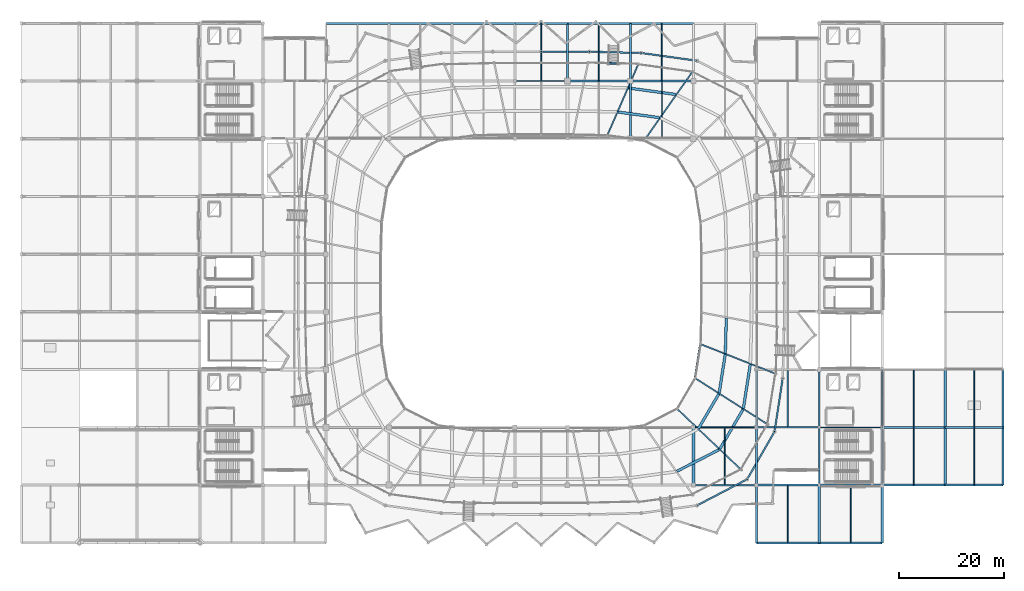
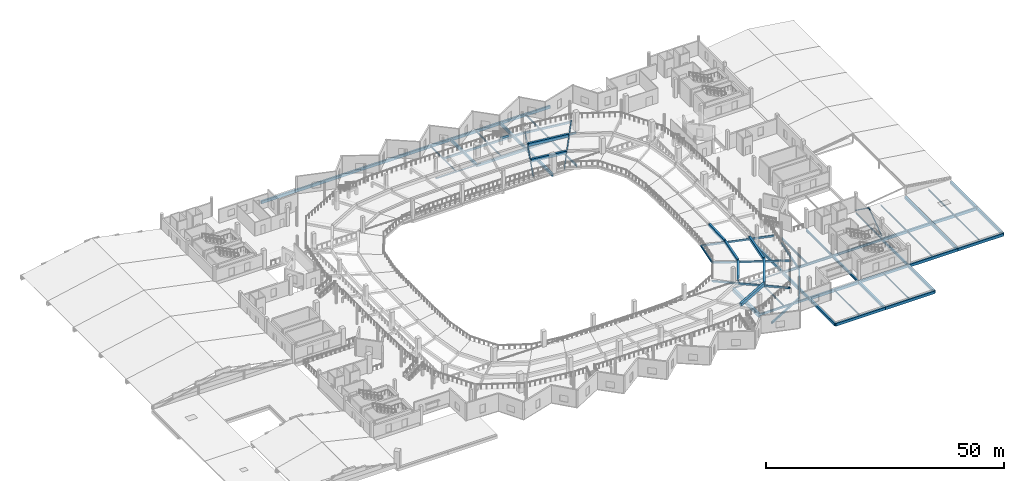
# One storey, part 32 of 77: 71 beams, 2 members.
"""IFC4 building model written with IfcOpenShell, lengths in metres."""

from ifc_helpers import new_model, si_unit, direction, frame, origin, origin_2d, place, context, subcontext, project, spatial, rectangle, hollow_rectangle, hollow_circle, i_section, extrude, material, material_profile, profile_set, type_object, element, save


model = new_model("IFC4")

# Units and contexts
model_context = context("Model", 3, precision=1e-05, world=origin(), true_north=direction((0.0, 1.0)))
body_context = subcontext(model_context, "Body", "Model", "MODEL_VIEW")
ifc_project = project(units=[si_unit("LENGTHUNIT", "METRE"), si_unit("AREAUNIT", "SQUARE_METRE"), si_unit("VOLUMEUNIT", "CUBIC_METRE"), si_unit("PLANEANGLEUNIT", "RADIAN"), si_unit("MASSUNIT", "GRAM", prefix="KILO")], contexts=[model_context])

# Site, building, storey
site_placement = place(None, origin())
site = spatial("IfcSite", under=ifc_project, at=site_placement, CompositionType="ELEMENT")
building_placement = place(site_placement, origin())
building = spatial("IfcBuilding", under=site, at=building_placement, Name="Luwafu Chhajja Arena", CompositionType="ELEMENT")
storey_placement = place(building_placement, frame((0.0, 0.0, 14.699951171875)))
storey = spatial("IfcBuildingStorey", under=building, at=storey_placement, Name="L03", CompositionType="ELEMENT", Elevation=14.699951171875)

# Beams
ifc_material_1 = material(Name="Steel S355", Category="steel")
ifc_material_profile_1 = material_profile(ifc_material_1, hollow_rectangle(XDim=0.25, YDim=0.449951171875, WallThickness=0.01611328125, at=origin_2d()), Name="RHS 450x250x16")
ifc_profile_set_1 = profile_set([ifc_material_profile_1], Name="Steel S355")
beam_type_1 = type_object("IfcBeamType", Name="Cantilevered Upper Bowl Raker RHS 450x250", PredefinedType="USERDEFINED", material=ifc_profile_set_1)
beam_1_placement = place(storey_placement, frame((118.57666015625, 76.589111328125, 0.239990234375), z_axis=(0.573550026627, 0.816941301272, 0.060392691873), x_axis=(-0.818435194703, 0.574598844474, 0.0)))
element("IfcBeam", 1, at=beam_1_placement, inside=storey, type_object=beam_type_1, Name="Upper Bowl Raker RKR-U06", ObjectType="RAKER", PredefinedType="USERDEFINED", context=body_context, shape_type="SweptSolid", body=[
    extrude(hollow_rectangle(XDim=0.25, YDim=0.449951171875, WallThickness=0.01611328125, at=origin_2d()), origin(), (0.0, 0.0, 1.0), 16.226806640625),
])
beam_2_placement = place(storey_placement, frame((111.560302734375, 77.536865234375, 0.239990234375), z_axis=(0.398223154661, 0.914957546199, 0.065352947496), x_axis=(-0.916917722769, 0.399076295553, 0.0)))
element("IfcBeam", 2, at=beam_2_placement, inside=storey, type_object=beam_type_1, Name="Upper Bowl Raker RKR-U07", ObjectType="RAKER", PredefinedType="USERDEFINED", context=body_context, shape_type="SweptSolid", body=[
    extrude(hollow_rectangle(XDim=0.25, YDim=0.449951171875, WallThickness=0.01611328125, at=origin_2d()), origin(), (0.0, 0.0, 1.0), 14.9951171875),
])
beam_3_placement = place(storey_placement, frame((124.85986328125, 25.590087890625, 0.239990234375), z_axis=(0.723171081086, -0.688259076596, 0.057645736744), x_axis=(0.689405487669, 0.724375643966, 0.0)))
element("IfcBeam", 3, at=beam_3_placement, inside=storey, type_object=beam_type_1, Name="Upper Bowl Raker RKR-U29", ObjectType="RAKER", PredefinedType="USERDEFINED", context=body_context, shape_type="SweptSolid", body=[
    extrude(hollow_rectangle(XDim=0.25, YDim=0.449951171875, WallThickness=0.01611328125, at=origin_2d()), origin(), (0.0, 0.0, 1.0), 17.0),
])
beam_4_placement = place(storey_placement, frame((128.298583984375, 31.399658203125, 0.239990234375), z_axis=(0.842344515342, -0.535670990695, 0.059264721387), x_axis=(0.536614196584, 0.843827709917, 0.0)))
element("IfcBeam", 4, at=beam_4_placement, inside=storey, type_object=beam_type_1, Name="Upper Bowl Raker RKR-U30", ObjectType="RAKER", PredefinedType="USERDEFINED", context=body_context, shape_type="SweptSolid", body=[
    extrude(hollow_rectangle(XDim=0.25, YDim=0.449951171875, WallThickness=0.01611328125, at=origin_2d()), origin(), (0.0, 0.0, 1.0), 16.53564453125),
])
beam_5_placement = place(storey_placement, frame((129.323486328125, 37.88671875, 0.239990234375), z_axis=(0.928463965144, -0.366020596475, 0.063115674639), x_axis=(0.366751819568, 0.930318817849, 0.0)))
element("IfcBeam", 5, at=beam_5_placement, inside=storey, type_object=beam_type_1, Name="Upper Bowl Raker RKR-U31", ObjectType="RAKER", PredefinedType="USERDEFINED", context=body_context, shape_type="SweptSolid", body=[
    extrude(hollow_rectangle(XDim=0.25, YDim=0.449951171875, WallThickness=0.01611328125, at=origin_2d()), origin(), (0.0, 0.0, 1.0), 15.52685546875),
])
ifc_material_profile_2 = material_profile(ifc_material_1, i_section(OverallWidth=0.165771484375, OverallDepth=0.306640625, WebThickness=0.006591796875, FlangeThickness=0.01171875, at=origin_2d()), Name="UB 305x165x46")
ifc_profile_set_2 = profile_set([ifc_material_profile_2], Name="Steel S355")
beam_type_2 = type_object("IfcBeamType", Name="Concourse Edge Spandrel Beam UB 305x165x46", PredefinedType="SPANDREL", material=ifc_profile_set_2)
beam_6_placement = place(storey_placement, frame((94.0, 88.0, -0.543212890625), z_axis=(1.0, 0.0, 0.0), x_axis=(0.0, 1.0, 0.0)))
element("IfcBeam", 6, at=beam_6_placement, inside=storey, type_object=beam_type_2, Name="L03 Grid Beam 9-10/J", PredefinedType="SPANDREL", context=body_context, shape_type="SweptSolid", body=[
    extrude(i_section(OverallWidth=0.165771484375, OverallDepth=0.306640625, WebThickness=0.006591796875, FlangeThickness=0.01171875, at=origin_2d()), origin(), (0.0, 0.0, 1.0), 10.0),
])
beam_7_placement = place(storey_placement, frame((128.0, 22.0, -0.543212890625), z_axis=(1.0, 0.0, 0.0), x_axis=(0.0, 1.0, 0.0)))
element("IfcBeam", 7, at=beam_7_placement, inside=storey, type_object=beam_type_2, Name="L03 Grid Beam 12-13/C", PredefinedType="SPANDREL", context=body_context, shape_type="SweptSolid", body=[
    extrude(i_section(OverallWidth=0.165771484375, OverallDepth=0.306640625, WebThickness=0.006591796875, FlangeThickness=0.01171875, at=origin_2d()), origin(), (0.0, 0.0, 1.0), 12.0),
])
beam_8_placement = place(storey_placement, frame((164.0, 22.0, -0.543212890625), z_axis=(0.0, 1.0, 0.0), x_axis=(-1.0, 0.0, 0.0)))
element("IfcBeam", 8, at=beam_8_placement, inside=storey, type_object=beam_type_2, Name="L03 Grid Beam 15/C-D", PredefinedType="SPANDREL", context=body_context, shape_type="SweptSolid", body=[
    extrude(i_section(OverallWidth=0.165771484375, OverallDepth=0.306640625, WebThickness=0.006591796875, FlangeThickness=0.01171875, at=origin_2d()), origin(), (0.0, 0.0, 1.0), 11.0),
])
ifc_material_2 = material(Name="Concrete C35/45", Category="concrete")
ifc_material_profile_3 = material_profile(ifc_material_2, rectangle(XDim=0.550048828125, YDim=0.949951171875, at=origin_2d()), Name="RC 550x950")
ifc_profile_set_3 = profile_set([ifc_material_profile_3], Name="Concrete C35/45")
beam_type_3 = type_object("IfcBeamType", Name="Concourse Radial Girder RC 550x950", PredefinedType="BEAM", material=ifc_profile_set_3)
beam_9_placement = place(storey_placement, frame((128.0, 11.0, -0.864990234375), z_axis=(0.0, 1.0, 0.0), x_axis=(-1.0, 0.0, 0.0)))
element("IfcBeam", 9, at=beam_9_placement, inside=storey, type_object=beam_type_3, Name="L03 Grid Beam 12/B-C", PredefinedType="BEAM", context=body_context, shape_type="SweptSolid", body=[
    extrude(rectangle(XDim=0.550048828125, YDim=0.949951171875, at=origin_2d()), origin(), (0.0, 0.0, 1.0), 11.0),
])
ifc_material_profile_4 = material_profile(ifc_material_1, i_section(OverallWidth=0.15283203125, OverallDepth=0.45458984375, WebThickness=0.008056640625, FlangeThickness=0.01318359375, at=origin_2d()), Name="UB 457x152x60")
ifc_profile_set_4 = profile_set([ifc_material_profile_4], Name="Steel S355")
beam_type_4 = type_object("IfcBeamType", Name="Floor Joist UB 457x152x60", PredefinedType="JOIST", material=ifc_profile_set_4)
beam_10_placement = place(storey_placement, frame((134.0, 11.14990234375, -0.6171875), z_axis=(0.0, 1.0, 0.0), x_axis=(-1.0, 0.0, 0.0)))
element("IfcBeam", 10, at=beam_10_placement, inside=storey, type_object=beam_type_4, Name="L03 Secondary Joist 12-13/B", PredefinedType="JOIST", context=body_context, shape_type="SweptSolid", body=[
    extrude(i_section(OverallWidth=0.15283203125, OverallDepth=0.45458984375, WebThickness=0.008056640625, FlangeThickness=0.01318359375, at=origin_2d()), origin(), (0.0, 0.0, 1.0), 10.76708984375),
])
ifc_material_profile_5 = material_profile(ifc_material_1, i_section(OverallWidth=0.2099609375, OverallDepth=0.53662109375, WebThickness=0.0107421875, FlangeThickness=0.017333984375, at=origin_2d()), Name="UB 533x210x101")
ifc_profile_set_5 = profile_set([ifc_material_profile_5], Name="Steel S355")
beam_type_5 = type_object("IfcBeamType", Name="Floor Joist UB 533x210x101", PredefinedType="JOIST", material=ifc_profile_set_5)
beam_11_placement = place(storey_placement, frame((122.0, 77.199951171875, -0.658203125), z_axis=(0.0, 1.0, 0.0), x_axis=(-1.0, 0.0, 0.0)))
element("IfcBeam", 11, at=beam_11_placement, inside=storey, type_object=beam_type_5, Name="L03 Secondary Joist 11-12/H", PredefinedType="JOIST", context=body_context, shape_type="SweptSolid", body=[
    extrude(i_section(OverallWidth=0.2099609375, OverallDepth=0.53662109375, WebThickness=0.0107421875, FlangeThickness=0.017333984375, at=origin_2d()), origin(), (0.0, 0.0, 1.0), 10.650146484375),
])
ifc_material_profile_6 = material_profile(ifc_material_1, i_section(OverallWidth=0.209228515625, OverallDepth=0.533203125, WebThickness=0.010009765625, FlangeThickness=0.015625, at=origin_2d()), Name="UB 533x210x92")
ifc_profile_set_6 = profile_set([ifc_material_profile_6], Name="Steel S355")
beam_type_6 = type_object("IfcBeamType", Name="Floor Joist UB 533x210x92", PredefinedType="JOIST", material=ifc_profile_set_6)
beam_12_placement = place(storey_placement, frame((146.0, 22.153564453125, -0.656494140625), z_axis=(0.0, 1.0, 0.0), x_axis=(-1.0, 0.0, 0.0)))
element("IfcBeam", 12, at=beam_12_placement, inside=storey, type_object=beam_type_6, Name="L03 Secondary Joist 13-14/C", PredefinedType="JOIST", context=body_context, shape_type="SweptSolid", body=[
    extrude(i_section(OverallWidth=0.209228515625, OverallDepth=0.533203125, WebThickness=0.010009765625, FlangeThickness=0.015625, at=origin_2d()), origin(), (0.0, 0.0, 1.0), 10.696533203125),
])
ifc_material_profile_7 = material_profile(ifc_material_2, rectangle(XDim=0.5, YDim=0.800048828125, at=origin_2d()), Name="RC 500x800")
ifc_profile_set_7 = profile_set([ifc_material_profile_7], Name="Concrete C35/45")
beam_type_7 = type_object("IfcBeamType", Name="Hospitality Primary Beam RC 500x800", PredefinedType="BEAM", material=ifc_profile_set_7)
beam_13_placement = place(storey_placement, frame((121.53369140625, 81.024658203125, 0.800048828125), z_axis=(-0.990909467515, 0.134530395038, 0.0), x_axis=(-0.134530395038, -0.990909467515, 0.0)))
element("IfcBeam", 13, at=beam_13_placement, inside=storey, type_object=beam_type_7, Name="Upper Tier Ring Beam S06-B2", PredefinedType="BEAM", context=body_context, shape_type="SweptSolid", body=[
    extrude(rectangle(XDim=0.5, YDim=0.800048828125, at=origin_2d()), origin(), (0.0, 0.0, 1.0), 7.945068359375),
])
beam_14_placement = place(storey_placement, frame((124.614501953125, 85.443603515625, 1.380126953125), z_axis=(-0.990848033552, 0.134982126249, 0.0), x_axis=(-0.134982126249, -0.990848033552, 0.0)))
element("IfcBeam", 14, at=beam_14_placement, inside=storey, type_object=beam_type_7, Name="Upper Tier Ring Beam S06-B3", PredefinedType="BEAM", context=body_context, shape_type="SweptSolid", body=[
    extrude(rectangle(XDim=0.5, YDim=0.800048828125, at=origin_2d()), origin(), (0.0, 0.0, 1.0), 9.059814453125),
])
beam_15_placement = place(storey_placement, frame((124.849609375, 13.630126953125, 1.380126953125), z_axis=(0.890679385598, 0.454631974316, 0.0), x_axis=(-0.454631974316, 0.890679385598, 0.0)))
element("IfcBeam", 15, at=beam_15_placement, inside=storey, type_object=beam_type_7, Name="Upper Tier Ring Beam S28-B3", PredefinedType="BEAM", context=body_context, shape_type="SweptSolid", body=[
    extrude(rectangle(XDim=0.5, YDim=0.800048828125, at=origin_2d()), origin(), (0.0, 0.0, 1.0), 9.02490234375),
])
beam_16_placement = place(storey_placement, frame((128.992919921875, 21.7978515625, 0.800048828125), z_axis=(0.507517540406, 0.861641425525, 0.0), x_axis=(-0.861641425525, 0.507517540406, 0.0)))
element("IfcBeam", 16, at=beam_16_placement, inside=storey, type_object=beam_type_7, Name="Upper Tier Ring Beam S29-B2", PredefinedType="BEAM", context=body_context, shape_type="SweptSolid", body=[
    extrude(rectangle(XDim=0.5, YDim=0.800048828125, at=origin_2d()), origin(), (0.0, 0.0, 1.0), 7.591796875),
])
beam_17_placement = place(storey_placement, frame((133.0625, 17.897705078125, 1.380126953125), z_axis=(0.506098278206, 0.862475815775, 0.0), x_axis=(-0.862475815775, 0.506098278206, 0.0)))
element("IfcBeam", 17, at=beam_17_placement, inside=storey, type_object=beam_type_7, Name="Upper Tier Ring Beam S29-B3", PredefinedType="BEAM", context=body_context, shape_type="SweptSolid", body=[
    extrude(rectangle(XDim=0.5, YDim=0.800048828125, at=origin_2d()), origin(), (0.0, 0.0, 1.0), 8.68310546875),
])
beam_18_placement = place(storey_placement, frame((132.9287109375, 28.570556640625, 0.800048828125), z_axis=(0.1553465585, 0.987860033994, 0.0), x_axis=(-0.987860033994, 0.1553465585, 0.0)))
element("IfcBeam", 18, at=beam_18_placement, inside=storey, type_object=beam_type_7, Name="Upper Tier Ring Beam S30-B2", PredefinedType="BEAM", context=body_context, shape_type="SweptSolid", body=[
    extrude(rectangle(XDim=0.5, YDim=0.800048828125, at=origin_2d()), origin(), (0.0, 0.0, 1.0), 7.387939453125),
])
beam_19_placement = place(storey_placement, frame((137.53955078125, 25.6181640625, 1.380126953125), z_axis=(0.154767809248, 0.987950871866, 0.0), x_axis=(-0.987950871866, 0.154767809248, 0.0)))
element("IfcBeam", 19, at=beam_19_placement, inside=storey, type_object=beam_type_7, Name="Upper Tier Ring Beam S30-B3", PredefinedType="BEAM", context=body_context, shape_type="SweptSolid", body=[
    extrude(rectangle(XDim=0.5, YDim=0.800048828125, at=origin_2d()), origin(), (0.0, 0.0, 1.0), 8.458251953125),
])
beam_20_placement = place(storey_placement, frame((134.09912109375, 36.117431640625, 0.800048828125), z_axis=(0.027901842029, 0.999610667816, 0.0), x_axis=(-0.999610667816, 0.027901842029, 0.0)))
element("IfcBeam", 20, at=beam_20_placement, inside=storey, type_object=beam_type_7, Name="Upper Tier Ring Beam S31-B2", PredefinedType="BEAM", context=body_context, shape_type="SweptSolid", body=[
    extrude(rectangle(XDim=0.5, YDim=0.800048828125, at=origin_2d()), origin(), (0.0, 0.0, 1.0), 6.737548828125),
])
ifc_material_profile_8 = material_profile(ifc_material_1, hollow_rectangle(XDim=0.300048828125, YDim=0.5, WallThickness=0.02001953125, at=origin_2d()), Name="RHS 500x300x20")
ifc_profile_set_8 = profile_set([ifc_material_profile_8], Name="Steel S355")
beam_type_8 = type_object("IfcBeamType", Name="Pleated Drum Spandrel Beam RHS 500x300", PredefinedType="SPANDREL", material=ifc_profile_set_8)
for number, where, z_axis, x_axis, name in (
    (21, (116.0, 88.0, -0.639892578125), (1.0, 0.0, 0.0), (0.0, 1.0, 0.0), "L03 Grid Beam 11-12/J"),
    (22, (128.0, 11.0, -0.639892578125), (1.0, 0.0, 0.0), (0.0, 1.0, 0.0), "L03 Grid Beam 12-13/B"),
):
    element("IfcBeam", number, at=place(storey_placement, frame(where, z_axis=z_axis, x_axis=x_axis)), inside=storey, type_object=beam_type_8, Name=name, PredefinedType="SPANDREL", context=body_context, shape_type="SweptSolid", body=[
        extrude(hollow_rectangle(XDim=0.300048828125, YDim=0.5, WallThickness=0.02001953125, at=origin_2d()), origin(), (0.0, 0.0, 1.0), 12.0),
    ])
beam_21_placement = place(storey_placement, frame((164.0, 11.0, -0.639892578125), z_axis=(0.0, 1.0, 0.0), x_axis=(-1.0, 0.0, 0.0)))
element("IfcBeam", 23, at=beam_21_placement, inside=storey, type_object=beam_type_8, Name="L03 Grid Beam 15/B-C", PredefinedType="SPANDREL", context=body_context, shape_type="SweptSolid", body=[
    extrude(hollow_rectangle(XDim=0.300048828125, YDim=0.5, WallThickness=0.02001953125, at=origin_2d()), origin(), (0.0, 0.0, 1.0), 11.0),
])
beam_22_placement = place(storey_placement, frame((128.718017578125, 91.86279296875, -0.639892578125), z_axis=(-0.990458730054, 0.137809666058, 0.0), x_axis=(-0.137809666058, -0.990458730054, 0.0)))
element("IfcBeam", 24, at=beam_22_placement, inside=storey, type_object=beam_type_8, Name="L03 Drum Ring Spandrel D06-D07", PredefinedType="SPANDREL", context=body_context, shape_type="SweptSolid", body=[
    extrude(hollow_rectangle(XDim=0.300048828125, YDim=0.5, WallThickness=0.02001953125, at=origin_2d()), origin(), (0.0, 0.0, 1.0), 10.75341796875),
])
beam_23_placement = place(storey_placement, frame((118.067138671875, 93.3447265625, -0.639892578125), z_axis=(-0.999695420837, 0.024679253567, 0.0), x_axis=(-0.024679253567, -0.999695420837, 0.0)))
element("IfcBeam", 25, at=beam_23_placement, inside=storey, type_object=beam_type_8, Name="L03 Drum Ring Spandrel D07-D08", PredefinedType="SPANDREL", context=body_context, shape_type="SweptSolid", body=[
    extrude(hollow_rectangle(XDim=0.300048828125, YDim=0.5, WallThickness=0.02001953125, at=origin_2d()), origin(), (0.0, 0.0, 1.0), 9.86279296875),
])
beam_24_placement = place(storey_placement, frame((108.207275390625, 93.588134765625, -0.639892578125), z_axis=(-0.999999155928, 0.001299285621, 0.0), x_axis=(-0.001299285621, -0.999999155928, 0.0)))
element("IfcBeam", 26, at=beam_24_placement, inside=storey, type_object=beam_type_8, Name="L03 Drum Ring Spandrel D08-D09", PredefinedType="SPANDREL", context=body_context, shape_type="SweptSolid", body=[
    extrude(hollow_rectangle(XDim=0.300048828125, YDim=0.5, WallThickness=0.02001953125, at=origin_2d()), origin(), (0.0, 0.0, 1.0), 9.207275390625),
])
beam_25_placement = place(storey_placement, frame((128.718017578125, 7.13720703125, -0.639892578125), z_axis=(0.886755170812, 0.462239404463, 0.0), x_axis=(-0.462239404463, 0.886755170812, 0.0)))
element("IfcBeam", 27, at=beam_25_placement, inside=storey, type_object=beam_type_8, Name="L03 Drum Ring Spandrel D28-D29", PredefinedType="SPANDREL", context=body_context, shape_type="SweptSolid", body=[
    extrude(hollow_rectangle(XDim=0.300048828125, YDim=0.5, WallThickness=0.02001953125, at=origin_2d()), origin(), (0.0, 0.0, 1.0), 10.756103515625),
])
beam_26_placement = place(storey_placement, frame((138.256103515625, 12.109130859375, -0.639892578125), z_axis=(0.498192671921, 0.867066353657, 0.0), x_axis=(-0.867066353657, 0.498192671921, 0.0)))
element("IfcBeam", 28, at=beam_26_placement, inside=storey, type_object=beam_type_8, Name="L03 Drum Ring Spandrel D29-D30", PredefinedType="SPANDREL", context=body_context, shape_type="SweptSolid", body=[
    extrude(hollow_rectangle(XDim=0.300048828125, YDim=0.5, WallThickness=0.02001953125, at=origin_2d()), origin(), (0.0, 0.0, 1.0), 10.477783203125),
])
beam_27_placement = place(storey_placement, frame((143.47607421875, 21.194091796875, -0.639892578125), z_axis=(0.1515977802, 0.988442265911, 0.0), x_axis=(-0.988442265911, 0.1515977802, 0.0)))
element("IfcBeam", 29, at=beam_27_placement, inside=storey, type_object=beam_type_8, Name="L03 Drum Ring Spandrel D30-D31", PredefinedType="SPANDREL", context=body_context, shape_type="SweptSolid", body=[
    extrude(hollow_rectangle(XDim=0.300048828125, YDim=0.5, WallThickness=0.02001953125, at=origin_2d()), origin(), (0.0, 0.0, 1.0), 10.263427734375),
])
ifc_material_profile_9 = material_profile(ifc_material_2, rectangle(XDim=0.39990234375, YDim=0.60009765625, at=origin_2d()), Name="RC 400x600")
ifc_profile_set_9 = profile_set([ifc_material_profile_9], Name="Concrete C35/45")
beam_type_9 = type_object("IfcBeamType", Name="Podium Perimeter Spandrel RC 400x600", PredefinedType="SPANDREL", material=ifc_profile_set_9)
for number, where, z_axis, x_axis, name in (
    (30, (104.0, 88.0, -0.68994140625), (1.0, 0.0, 0.0), (0.0, 1.0, 0.0), "L03 Grid Beam 10-11/J"),
    (31, (152.0, 11.0, -0.68994140625), (1.0, 0.0, 0.0), (0.0, 1.0, 0.0), "L03 Grid Beam 14-15/B"),
):
    element("IfcBeam", number, at=place(storey_placement, frame(where, z_axis=z_axis, x_axis=x_axis)), inside=storey, type_object=beam_type_9, Name=name, PredefinedType="SPANDREL", context=body_context, shape_type="SweptSolid", body=[
        extrude(rectangle(XDim=0.39990234375, YDim=0.60009765625, at=origin_2d()), origin(), (0.0, 0.0, 1.0), 12.0),
    ])
beam_28_placement = place(storey_placement, frame((140.0, 22.0, -0.68994140625), z_axis=(0.0, 1.0, 0.0), x_axis=(-1.0, 0.0, 0.0)))
element("IfcBeam", 32, at=beam_28_placement, inside=storey, type_object=beam_type_9, Name="L03 Grid Beam 13/C-D", PredefinedType="SPANDREL", context=body_context, shape_type="SweptSolid", body=[
    extrude(rectangle(XDim=0.39990234375, YDim=0.60009765625, at=origin_2d()), origin(), (0.0, 0.0, 1.0), 11.0),
])
ifc_material_profile_10 = material_profile(ifc_material_1, i_section(OverallWidth=0.30712890625, OverallDepth=0.6201171875, WebThickness=0.01416015625, FlangeThickness=0.023681640625, at=origin_2d()), Name="UB 610x305x179")
ifc_profile_set_10 = profile_set([ifc_material_profile_10], Name="Steel S355")
beam_type_10 = type_object("IfcBeamType", Name="Steel Hospitality Girder UB 610x305x179", PredefinedType="BEAM", material=ifc_profile_set_10)
beam_29_placement = place(storey_placement, frame((140.0, 22.0, -0.699951171875), z_axis=(1.0, 0.0, 0.0), x_axis=(0.0, 1.0, 0.0)))
element("IfcBeam", 33, at=beam_29_placement, inside=storey, type_object=beam_type_10, Name="L03 Grid Beam 13-14/C", PredefinedType="BEAM", context=body_context, shape_type="SweptSolid", body=[
    extrude(i_section(OverallWidth=0.30712890625, OverallDepth=0.6201171875, WebThickness=0.01416015625, FlangeThickness=0.023681640625, at=origin_2d()), origin(), (0.0, 0.0, 1.0), 12.0),
])
beam_30_placement = place(storey_placement, frame((152.0, 11.0, -0.699951171875), z_axis=(0.0, 1.0, 0.0), x_axis=(-1.0, 0.0, 0.0)))
element("IfcBeam", 34, at=beam_30_placement, inside=storey, type_object=beam_type_10, Name="L03 Grid Beam 14/B-C", PredefinedType="BEAM", context=body_context, shape_type="SweptSolid", body=[
    extrude(i_section(OverallWidth=0.30712890625, OverallDepth=0.6201171875, WebThickness=0.01416015625, FlangeThickness=0.023681640625, at=origin_2d()), origin(), (0.0, 0.0, 1.0), 11.0),
])
ifc_material_profile_11 = material_profile(ifc_material_1, i_section(OverallWidth=0.22900390625, OverallDepth=0.6123046875, WebThickness=0.011962890625, FlangeThickness=0.01953125, at=origin_2d()), Name="UB 610x229x125")
ifc_profile_set_11 = profile_set([ifc_material_profile_11], Name="Steel S355")
beam_type_11 = type_object("IfcBeamType", Name="Steel Mezzanine Girder UB 610x229x125", PredefinedType="BEAM", material=ifc_profile_set_11)
beam_31_placement = place(storey_placement, frame((152.0, 22.0, -0.696044921875), z_axis=(1.0, 0.0, 0.0), x_axis=(0.0, 1.0, 0.0)))
element("IfcBeam", 35, at=beam_31_placement, inside=storey, type_object=beam_type_11, Name="L03 Grid Beam 14-15/C", PredefinedType="BEAM", context=body_context, shape_type="SweptSolid", body=[
    extrude(i_section(OverallWidth=0.22900390625, OverallDepth=0.6123046875, WebThickness=0.011962890625, FlangeThickness=0.01953125, at=origin_2d()), origin(), (0.0, 0.0, 1.0), 12.0),
])
beam_32_placement = place(storey_placement, frame((152.0, 22.0, -0.696044921875), z_axis=(0.0, 1.0, 0.0), x_axis=(-1.0, 0.0, 0.0)))
element("IfcBeam", 36, at=beam_32_placement, inside=storey, type_object=beam_type_11, Name="L03 Grid Beam 14/C-D", PredefinedType="BEAM", context=body_context, shape_type="SweptSolid", body=[
    extrude(i_section(OverallWidth=0.22900390625, OverallDepth=0.6123046875, WebThickness=0.011962890625, FlangeThickness=0.01953125, at=origin_2d()), origin(), (0.0, 0.0, 1.0), 11.0),
])
ifc_material_3 = material(Name="Precast concrete C40/50", Category="concrete")
ifc_material_profile_12 = material_profile(ifc_material_3, rectangle(XDim=0.300048828125, YDim=0.5, at=origin_2d()), Name="RC 300x500")
ifc_profile_set_12 = profile_set([ifc_material_profile_12], Name="Precast concrete C40/50")
beam_type_12 = type_object("IfcBeamType", Name="Tier Support Beam RC 300x500", PredefinedType="BEAM", material=ifc_profile_set_12)
beam_33_placement = place(storey_placement, frame((113.889892578125, 91.344970703125, 1.550048828125), z_axis=(-0.999707091833, 0.02420187056, 0.0), x_axis=(-0.02420187056, -0.999707091833, 0.0)))
element("IfcBeam", 37, at=beam_33_placement, inside=storey, type_object=beam_type_12, Name="L03 Vomitory Header Beam S07", PredefinedType="BEAM", context=body_context, shape_type="SweptSolid", body=[
    extrude(rectangle(XDim=0.300048828125, YDim=0.5, at=origin_2d()), origin(), (0.0, 0.0, 1.0), 2.300048828125),
])
beam_34_placement = place(storey_placement, frame((128.318115234375, 31.523193359375, 0.340087890625), z_axis=(0.156051876046, 0.987748860785, 0.0), x_axis=(-0.987748860785, 0.156051876046, 0.0)))
element("IfcBeam", 38, at=beam_34_placement, inside=storey, type_object=beam_type_12, Name="Upper Tier Ring Beam S30-B1", PredefinedType="BEAM", context=body_context, shape_type="SweptSolid", body=[
    extrude(rectangle(XDim=0.300048828125, YDim=0.5, at=origin_2d()), origin(), (0.0, 0.0, 1.0), 6.3173828125),
])
ifc_material_profile_13 = material_profile(ifc_material_2, rectangle(XDim=0.39990234375, YDim=0.699951171875, at=origin_2d()), Name="RC 400x700")
ifc_profile_set_13 = profile_set([ifc_material_profile_13], Name="Concrete C35/45")
beam_type_13 = type_object("IfcBeamType", Name="Wing Frame Beam RC 400x700", PredefinedType="BEAM", material=ifc_profile_set_13)
for number, where, z_axis, x_axis, name in (
    (39, (116.0, 77.0, -0.739990234375), (0.0, 1.0, 0.0), (-1.0, 0.0, 0.0), "L03 Grid Beam 11/H-J"),
    (40, (140.0, 11.0, -0.739990234375), (0.0, 1.0, 0.0), (-1.0, 0.0, 0.0), "L03 Grid Beam 13/B-C"),
):
    element("IfcBeam", number, at=place(storey_placement, frame(where, z_axis=z_axis, x_axis=x_axis)), inside=storey, type_object=beam_type_13, Name=name, PredefinedType="BEAM", context=body_context, shape_type="SweptSolid", body=[
        extrude(rectangle(XDim=0.39990234375, YDim=0.699951171875, at=origin_2d()), origin(), (0.0, 0.0, 1.0), 11.0),
    ])
for number, where, z_axis, x_axis, name in (
    (41, (58.0, 99.0, -0.724853515625), (1.0, 0.0, 0.0), (0.0, 1.0, 0.0), "L03 Podium Roof Deck Beam X-05_09"),
    (42, (70.0, 99.0, -0.724853515625), (1.0, 0.0, 0.0), (0.0, 1.0, 0.0), "L03 Podium Roof Deck Beam X-06_09"),
    (43, (82.0, 99.0, -0.724853515625), (1.0, 0.0, 0.0), (0.0, 1.0, 0.0), "L03 Podium Roof Deck Beam X-07_09"),
):
    element("IfcBeam", number, at=place(storey_placement, frame(where, z_axis=z_axis, x_axis=x_axis)), inside=storey, type_object=beam_type_13, Name=name, PredefinedType="BEAM", context=body_context, shape_type="SweptSolid", body=[
        extrude(rectangle(XDim=0.39990234375, YDim=0.699951171875, at=origin_2d()), origin(), (0.0, 0.0, 1.0), 12.0),
    ])
beam_35_placement = place(storey_placement, frame((94.0, 99.0, -0.724853515625), z_axis=(1.0, 0.0, 0.0), x_axis=(0.0, 1.0, 0.0)))
element("IfcBeam", 44, at=beam_35_placement, inside=storey, type_object=beam_type_13, Name="L03 Podium Roof Deck Beam X-08_09", PredefinedType="BEAM", context=body_context, shape_type="SweptSolid", body=[
    extrude(rectangle(XDim=0.39990234375, YDim=0.699951171875, at=origin_2d()), origin(), (0.0, 0.0, 1.0), 10.0),
])
beam_36_placement = place(storey_placement, frame((104.0, 88.0, -0.724853515625), z_axis=(0.0, 1.0, 0.0), x_axis=(-1.0, 0.0, 0.0)))
element("IfcBeam", 45, at=beam_36_placement, inside=storey, type_object=beam_type_13, Name="L03 Podium Roof Deck Beam Y-09_08", PredefinedType="BEAM", context=body_context, shape_type="SweptSolid", body=[
    extrude(rectangle(XDim=0.39990234375, YDim=0.699951171875, at=origin_2d()), origin(), (0.0, 0.0, 1.0), 11.0),
])
beam_37_placement = place(storey_placement, frame((104.0, 99.0, -0.724853515625), z_axis=(1.0, 0.0, 0.0), x_axis=(0.0, 1.0, 0.0)))
element("IfcBeam", 46, at=beam_37_placement, inside=storey, type_object=beam_type_13, Name="L03 Podium Roof Deck Beam X-09_09", PredefinedType="BEAM", context=body_context, shape_type="SweptSolid", body=[
    extrude(rectangle(XDim=0.39990234375, YDim=0.699951171875, at=origin_2d()), origin(), (0.0, 0.0, 1.0), 12.0),
])
beam_38_placement = place(storey_placement, frame((116.0, 88.0, -0.724853515625), z_axis=(0.0, 1.0, 0.0), x_axis=(-1.0, 0.0, 0.0)))
element("IfcBeam", 47, at=beam_38_placement, inside=storey, type_object=beam_type_13, Name="L03 Podium Roof Deck Beam Y-10_08", PredefinedType="BEAM", context=body_context, shape_type="SweptSolid", body=[
    extrude(rectangle(XDim=0.39990234375, YDim=0.699951171875, at=origin_2d()), origin(), (0.0, 0.0, 1.0), 11.0),
])
for number, where, z_axis, x_axis, name in (
    (48, (116.0, 99.0, -0.724853515625), (1.0, 0.0, 0.0), (0.0, 1.0, 0.0), "L03 Podium Roof Deck Beam X-10_09"),
    (49, (140.0, 0.0, -0.724853515625), (1.0, 0.0, 0.0), (0.0, 1.0, 0.0), "L03 Podium Roof Deck Beam X-12_00"),
    (50, (140.0, 11.0, -0.724853515625), (1.0, 0.0, 0.0), (0.0, 1.0, 0.0), "L03 Podium Roof Deck Beam X-12_01"),
):
    element("IfcBeam", number, at=place(storey_placement, frame(where, z_axis=z_axis, x_axis=x_axis)), inside=storey, type_object=beam_type_13, Name=name, PredefinedType="BEAM", context=body_context, shape_type="SweptSolid", body=[
        extrude(rectangle(XDim=0.39990234375, YDim=0.699951171875, at=origin_2d()), origin(), (0.0, 0.0, 1.0), 12.0),
    ])
for number, where, z_axis, x_axis, name in (
    (51, (140.0, 0.0, -0.724853515625), (0.0, 1.0, 0.0), (-1.0, 0.0, 0.0), "L03 Podium Roof Deck Beam Y-12_00"),
    (52, (152.0, 0.0, -0.724853515625), (0.0, 1.0, 0.0), (-1.0, 0.0, 0.0), "L03 Podium Roof Deck Beam Y-13_00"),
):
    element("IfcBeam", number, at=place(storey_placement, frame(where, z_axis=z_axis, x_axis=x_axis)), inside=storey, type_object=beam_type_13, Name=name, PredefinedType="BEAM", context=body_context, shape_type="SweptSolid", body=[
        extrude(rectangle(XDim=0.39990234375, YDim=0.699951171875, at=origin_2d()), origin(), (0.0, 0.0, 1.0), 11.0),
    ])
beam_39_placement = place(storey_placement, frame((152.0, 0.0, -0.724853515625), z_axis=(1.0, 0.0, 0.0), x_axis=(0.0, 1.0, 0.0)))
element("IfcBeam", 53, at=beam_39_placement, inside=storey, type_object=beam_type_13, Name="L03 Podium Roof Deck Beam X-13_00", PredefinedType="BEAM", context=body_context, shape_type="SweptSolid", body=[
    extrude(rectangle(XDim=0.39990234375, YDim=0.699951171875, at=origin_2d()), origin(), (0.0, 0.0, 1.0), 12.0),
])
beam_40_placement = place(storey_placement, frame((164.0, 0.0, -0.724853515625), z_axis=(0.0, 1.0, 0.0), x_axis=(-1.0, 0.0, 0.0)))
element("IfcBeam", 54, at=beam_40_placement, inside=storey, type_object=beam_type_13, Name="L03 Podium Roof Deck Beam Y-14_00", PredefinedType="BEAM", context=body_context, shape_type="SweptSolid", body=[
    extrude(rectangle(XDim=0.39990234375, YDim=0.699951171875, at=origin_2d()), origin(), (0.0, 0.0, 1.0), 11.0),
])
for number, where, z_axis, x_axis, name in (
    (55, (164.0, 11.0, -0.724853515625), (1.0, 0.0, 0.0), (0.0, 1.0, 0.0), "L03 Podium Roof Deck Beam X-14_01"),
    (56, (164.0, 22.0, -0.724853515625), (1.0, 0.0, 0.0), (0.0, 1.0, 0.0), "L03 Podium Roof Deck Beam X-14_02"),
):
    element("IfcBeam", number, at=place(storey_placement, frame(where, z_axis=z_axis, x_axis=x_axis)), inside=storey, type_object=beam_type_13, Name=name, PredefinedType="BEAM", context=body_context, shape_type="SweptSolid", body=[
        extrude(rectangle(XDim=0.39990234375, YDim=0.699951171875, at=origin_2d()), origin(), (0.0, 0.0, 1.0), 12.0),
    ])
for number, where, z_axis, x_axis, name in (
    (57, (176.0, 11.0, -0.724853515625), (0.0, 1.0, 0.0), (-1.0, 0.0, 0.0), "L03 Podium Roof Deck Beam Y-15_01"),
    (58, (176.0, 22.0, -0.724853515625), (0.0, 1.0, 0.0), (-1.0, 0.0, 0.0), "L03 Podium Roof Deck Beam Y-15_02"),
    (59, (176.0, 11.0, -0.724853515625), (1.0, 0.0, 0.0), (0.0, 1.0, 0.0), "L03 Podium Roof Deck Beam X-15_01"),
    (60, (176.0, 22.0, -0.724853515625), (1.0, 0.0, 0.0), (0.0, 1.0, 0.0), "L03 Podium Roof Deck Beam X-15_02"),
    (61, (187.0, 11.0, -0.724853515625), (0.0, 1.0, 0.0), (-1.0, 0.0, 0.0), "L03 Podium Roof Deck Beam Y-16_01"),
    (62, (187.0, 22.0, -0.724853515625), (0.0, 1.0, 0.0), (-1.0, 0.0, 0.0), "L03 Podium Roof Deck Beam Y-16_02"),
):
    element("IfcBeam", number, at=place(storey_placement, frame(where, z_axis=z_axis, x_axis=x_axis)), inside=storey, type_object=beam_type_13, Name=name, PredefinedType="BEAM", context=body_context, shape_type="SweptSolid", body=[
        extrude(rectangle(XDim=0.39990234375, YDim=0.699951171875, at=origin_2d()), origin(), (0.0, 0.0, 1.0), 11.0),
    ])

# Members
ifc_material_profile_14 = material_profile(ifc_material_1, hollow_circle(Radius=0.136474609375, WallThickness=0.012451171875, at=origin_2d()), Name="CHS 273x12.5")
ifc_profile_set_14 = profile_set([ifc_material_profile_14], Name="Steel S355")
member_type = type_object("IfcMemberType", Name="Wing Frame Diagonal Brace CHS 273", PredefinedType="BRACE", material=ifc_profile_set_14)
for number, where, z_axis, x_axis, name in (
    (63, (164.0, 22.0, 0.1201171875), (0.0, 0.809436246963, 0.587207767406), (-1.0, 0.0, 0.0), "L03 Lateral Chevron Brace 10A"),
    (64, (164.0, 33.0, 0.1201171875), (0.0, -0.809436246963, 0.587207767406), (1.0, 0.0, 0.0), "L03 Lateral Chevron Brace 10B"),
):
    element("IfcMember", number, at=place(storey_placement, frame(where, z_axis=z_axis, x_axis=x_axis)), inside=storey, type_object=member_type, Name=name, PredefinedType="BRACE", context=body_context, shape_type="SweptSolid", body=[
        extrude(hollow_circle(Radius=0.136474609375, WallThickness=0.012451171875, at=origin_2d()), origin(), (0.0, 0.0, 1.0), 6.794921875),
    ])

# Beams
ifc_material_profile_15 = material_profile(ifc_material_1, i_section(OverallWidth=0.172119140625, OverallDepth=0.35791015625, WebThickness=0.008056640625, FlangeThickness=0.012939453125, at=origin_2d()), Name="UB 356x171x57")
ifc_profile_set_15 = profile_set([ifc_material_profile_15], Name="Steel S355")
beam_type_14 = type_object("IfcBeamType", Name="Wing Roof Purlin Joist UB 356x171x57", PredefinedType="JOIST", material=ifc_profile_set_15)
for number, where, z_axis, x_axis, name in (
    (65, (99.0, 88.10009765625, -0.554931640625), (0.0, 1.0, 0.0), (-1.0, 0.0, 0.0), "L03 Podium Roof Joist 8/8"),
    (66, (110.0, 88.10009765625, -0.554931640625), (0.0, 1.0, 0.0), (-1.0, 0.0, 0.0), "L03 Podium Roof Joist 9/8"),
    (67, (122.0, 88.10009765625, -0.554931640625), (0.0, 1.0, 0.0), (-1.0, 0.0, 0.0), "L03 Podium Roof Joist 10/8"),
    (68, (146.0, 0.10009765625, -0.554931640625), (0.0, 1.0, 0.0), (-1.0, 0.0, 0.0), "L03 Podium Roof Joist 12/0"),
    (69, (158.0, 0.10009765625, -0.554931640625), (0.0, 1.0, 0.0), (-1.0, 0.0, 0.0), "L03 Podium Roof Joist 13/0"),
    (70, (170.0, 11.10009765625, -0.554931640625), (0.0, 1.0, 0.0), (-1.0, 0.0, 0.0), "L03 Podium Roof Joist 14/1"),
    (71, (170.0, 22.10009765625, -0.554931640625), (0.0, 1.0, 0.0), (-1.0, 0.0, 0.0), "L03 Podium Roof Joist 14/2"),
    (72, (181.5, 11.10009765625, -0.554931640625), (0.0, 1.0, 0.0), (-1.0, 0.0, 0.0), "L03 Podium Roof Joist 15/1"),
    (73, (181.5, 22.10009765625, -0.554931640625), (0.0, 1.0, 0.0), (-1.0, 0.0, 0.0), "L03 Podium Roof Joist 15/2"),
):
    element("IfcBeam", number, at=place(storey_placement, frame(where, z_axis=z_axis, x_axis=x_axis)), inside=storey, type_object=beam_type_14, Name=name, PredefinedType="JOIST", context=body_context, shape_type="SweptSolid", body=[
        extrude(i_section(OverallWidth=0.172119140625, OverallDepth=0.35791015625, WebThickness=0.008056640625, FlangeThickness=0.012939453125, at=origin_2d()), origin(), (0.0, 0.0, 1.0), 10.7998046875),
    ])

save(model, "model.ifc")
